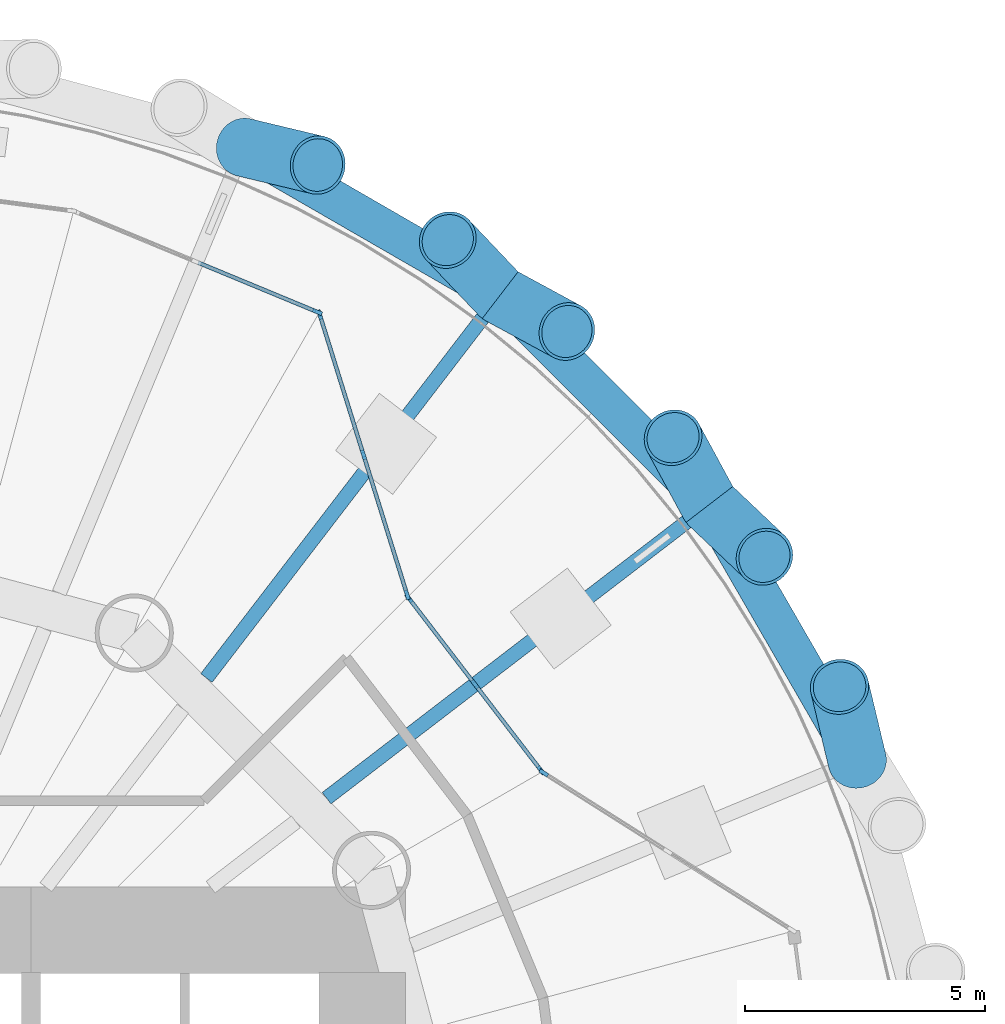
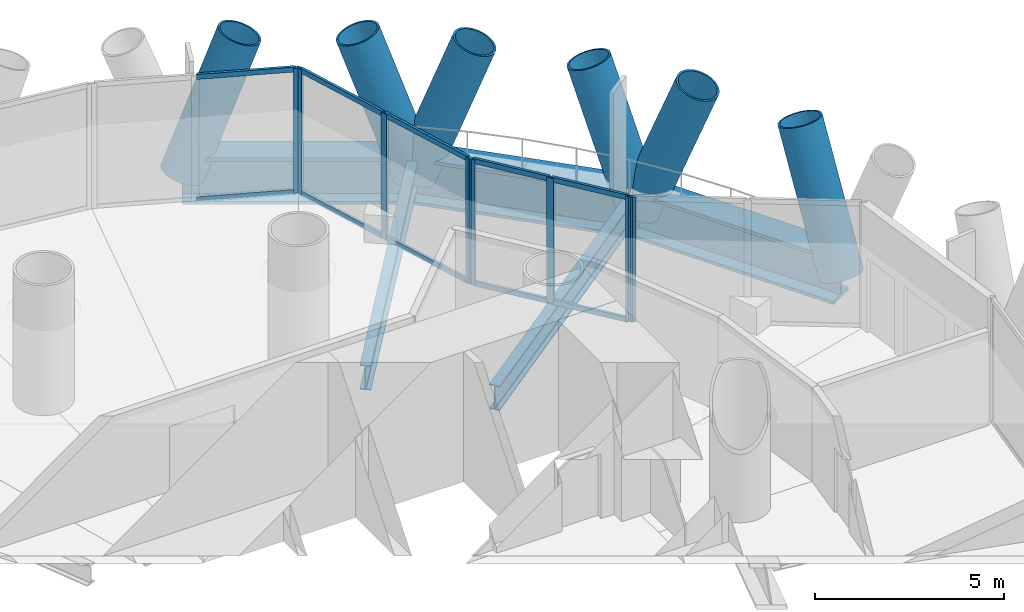
# One storey, part 6 of 15: 24 members, 5 beams, 4 elements without a shape of their own.
"""IFC4 building model written with IfcOpenShell, lengths in metres."""

import ifcopenshell
import ifcopenshell.guid

model = None  # the IFC model being written
_history = None  # IfcOwnerHistory: only IFC2X3 demands one
_inside = {}  # id of a spatial element -> (the spatial element, [elements in it])
_under = {}  # id of a project, library or spatial element -> (it, [spatial elements below it])
_declared = {}  # id of a project -> (the project, [libraries it declares])
_typed = {}  # id of a type object -> (the type object, [elements of that type])
_made_of = {}  # id of a material, layer set ... -> (it, [elements and type objects made of it])


def new_model(schema):
    """Start an empty IFC model of exactly this schema.

    Asked for "IFC4X3", IfcOpenShell would pick the latest addendum, in which some entities
    have other attributes; the version numbers below select the first issue.
    IFC2X3 requires an IfcOwnerHistory on every rooted entity: one is made here for all.
    """
    global model, _history
    if schema == "IFC4X3":
        model = ifcopenshell.file(schema_version=(4, 3, 0, 0))
    else:
        model = ifcopenshell.file(schema=schema)
    _inside.clear()
    _under.clear()
    _declared.clear()
    _typed.clear()
    _made_of.clear()
    _history = None
    if model.schema == "IFC2X3":
        org = make("IfcOrganization", Name="unknown")
        user = make(
            "IfcPersonAndOrganization",
            ThePerson=make("IfcPerson", FamilyName="unknown"),
            TheOrganization=org,
        )
        app = make(
            "IfcApplication",
            ApplicationDeveloper=org,
            Version="unknown",
            ApplicationFullName="unknown",
            ApplicationIdentifier="unknown",
        )
        _history = make(
            "IfcOwnerHistory",
            OwningUser=user,
            OwningApplication=app,
            ChangeAction="ADDED",
            CreationDate=0,
        )
    return model


def make(cls, **values):
    """One entity of the class cls with the attributes given. An attribute that is None is left unset."""
    return model.create_entity(
        cls, **{name: value for name, value in values.items() if value is not None}
    )


def rooted(cls, **values):
    """An entity with a GlobalId (a new one), such as an element, a storey or a relation."""
    return make(cls, GlobalId=ifcopenshell.guid.new(), OwnerHistory=_history, **values)


def si_unit(unit_type, name, prefix=None):
    """IfcSIUnit, for example si_unit("LENGTHUNIT", "METRE", prefix="MILLI")."""
    return make("IfcSIUnit", UnitType=unit_type, Prefix=prefix, Name=name)


def assignment(units):
    """IfcUnitAssignment: the units of a project."""
    return None if units is None else make("IfcUnitAssignment", Units=units)


def point(xyz):
    """IfcCartesianPoint."""
    return None if xyz is None else make("IfcCartesianPoint", Coordinates=xyz)


def direction(xyz):
    """IfcDirection."""
    return None if xyz is None else make("IfcDirection", DirectionRatios=xyz)


def frame(location, z_axis=None, x_axis=None):
    """IfcAxis2Placement3D, a coordinate frame: its origin and axes. An axis left out is left unset."""
    return make(
        "IfcAxis2Placement3D",
        Location=point(location),
        Axis=direction(z_axis),
        RefDirection=direction(x_axis),
    )


def frame_2d(location, x_axis=None):
    """IfcAxis2Placement2D, a coordinate frame in the plane: its origin and x axis."""
    return make(
        "IfcAxis2Placement2D", Location=point(location), RefDirection=direction(x_axis)
    )


def origin():
    """The frame at (0, 0, 0) with its axes left unset."""
    return frame((0.0, 0.0, 0.0))


def origin_2d():
    """The frame at (0, 0) in the plane with its x axis left unset."""
    return frame_2d((0.0, 0.0))


def place(relative_to, where):
    """IfcLocalPlacement: puts the frame where relative to a parent placement (None: the world)."""
    return make(
        "IfcLocalPlacement", PlacementRelTo=relative_to, RelativePlacement=where
    )


def context(
    kind, dimensions, precision=None, world=None, true_north=None, identifier=None
):
    """IfcGeometricRepresentationContext, for example the 3D "Model" context."""
    return make(
        "IfcGeometricRepresentationContext",
        ContextIdentifier=identifier,
        ContextType=kind,
        CoordinateSpaceDimension=dimensions,
        Precision=precision,
        WorldCoordinateSystem=world,
        TrueNorth=true_north,
    )


def subcontext(parent, identifier, kind, view, scale=None):
    """IfcGeometricRepresentationSubContext, for example "Body" below "Model"."""
    return make(
        "IfcGeometricRepresentationSubContext",
        ContextIdentifier=identifier,
        ContextType=kind,
        ParentContext=parent,
        TargetScale=scale,
        TargetView=view,
    )


def project(units=None, contexts=None):
    """IfcProject with its units and contexts."""
    return rooted(
        "IfcProject",
        Name="project",
        RepresentationContexts=contexts,
        UnitsInContext=assignment(units),
    )


def spatial(cls, under=None, at=None, **own):
    """A site, building, storey or space (cls), placed at a placement, below another one or the project."""
    s = rooted(cls, ObjectPlacement=at, **own)
    if under is not None:
        _under.setdefault(under.id(), (under, []))[1].append(s)
    return s


def profile(cls, at=None, kind="AREA", **sizes):
    """A parametric profile (cls). Its sizes go by their IFC names, for example OverallWidth=200.0."""
    return make(cls, ProfileType=kind, Position=at, **sizes)


def rectangle(**sizes):
    """IfcRectangleProfileDef."""
    return profile("IfcRectangleProfileDef", **sizes)


def hollow_circle(**sizes):
    """IfcCircleHollowProfileDef."""
    return profile("IfcCircleHollowProfileDef", **sizes)


def i_section(**sizes):
    """IfcIShapeProfileDef."""
    return profile("IfcIShapeProfileDef", **sizes)


def extrude(swept, where, along, depth):
    """IfcExtrudedAreaSolid: the profile swept, set in the frame where, extruded along a direction by depth."""
    return make(
        "IfcExtrudedAreaSolid",
        SweptArea=swept,
        Position=where,
        ExtrudedDirection=direction(along),
        Depth=depth,
    )


def shape(context_of_items, identifier, shape_type, items):
    """IfcShapeRepresentation: the items that make up one representation, for example the "Body"."""
    return make(
        "IfcShapeRepresentation",
        ContextOfItems=context_of_items,
        RepresentationIdentifier=identifier,
        RepresentationType=shape_type,
        Items=items,
    )


def material(Name=None, Category=None):
    """IfcMaterial."""
    return make("IfcMaterial", Name=Name, Category=Category)


def material_profile(
    of_material, cross_section, Name=None, Category=None, Priority=None
):
    """IfcMaterialProfile: a cross section and its material."""
    return make(
        "IfcMaterialProfile",
        Name=Name,
        Material=of_material,
        Profile=cross_section,
        Priority=Priority,
        Category=Category,
    )


def profile_set(profiles, Name=None, composite=None):
    """IfcMaterialProfileSet."""
    return make(
        "IfcMaterialProfileSet",
        Name=Name,
        MaterialProfiles=profiles,
        CompositeProfile=composite,
    )


def made_of(thing, what):
    """Note that an element or type object is made of a material, layer set ...; save() writes the relation."""
    if what is not None:
        _made_of.setdefault(what.id(), (what, []))[1].append(thing)
    return thing


def type_object(cls, material=None, **own):
    """A type object (cls), such as IfcWallType, which elements share."""
    return made_of(rooted(cls, **own), material)


def element(
    cls,
    number,
    at=None,
    inside=None,
    cuts=None,
    type_object=None,
    material=None,
    context=None,
    identifier="Body",
    shape_type=None,
    held_by="IfcProductDefinitionShape",
    body=None,
    shapes=None,
    **own,
):
    """One element of the class cls, such as IfcWall. Its Tag is "e" and its number.

    at: its placement. inside: the storey or other place that contains it. cuts: it is an
    opening in that element (IfcRelVoidsElement). A single representation is given by context,
    identifier, shape_type and body (its items); several are given by shapes. held_by: the class
    of the entity that holds the representations. save() writes the other relations.
    """
    e = rooted(cls, Tag="e%d" % number, ObjectPlacement=at, **own)
    if body is not None:
        shapes = [shape(context, identifier, shape_type, body)]
    if shapes is not None:
        e.Representation = make(held_by, Representations=shapes)
    if inside is not None:
        _inside.setdefault(inside.id(), (inside, []))[1].append(e)
    if cuts is not None:
        rooted(
            "IfcRelVoidsElement", RelatingBuildingElement=cuts, RelatedOpeningElement=e
        )
    if type_object is not None:
        _typed.setdefault(type_object.id(), (type_object, []))[1].append(e)
    return made_of(e, material)


def aggregate(whole, parts):
    """IfcRelAggregates: a whole, such as a stair, and the parts it consists of."""
    return rooted("IfcRelAggregates", RelatingObject=whole, RelatedObjects=parts)


def save(model, path):
    """Write the relations noted so far, then the file.

    IfcRelAggregates (storeys below a building ...), IfcRelContainedInSpatialStructure (elements
    in a storey), IfcRelDefinesByType, IfcRelAssociatesMaterial and IfcRelDeclares: one each for
    every whole, place, type object, material and project.
    """
    for whole, parts in _under.values():
        aggregate(whole, parts)
    for where, things in _inside.values():
        rooted(
            "IfcRelContainedInSpatialStructure",
            RelatedElements=things,
            RelatingStructure=where,
        )
    for kind, things in _typed.values():
        rooted("IfcRelDefinesByType", RelatedObjects=things, RelatingType=kind)
    for what, things in _made_of.values():
        rooted("IfcRelAssociatesMaterial", RelatedObjects=things, RelatingMaterial=what)
    for by, libraries in _declared.values():
        rooted("IfcRelDeclares", RelatingContext=by, RelatedDefinitions=libraries)
    model.write(path)


model = new_model("IFC4")

# Units and contexts
model_context = context("Model", 3, precision=1e-05, world=origin(), true_north=direction((0.0, 1.0)))
body_context = subcontext(model_context, "Body", "Model", "MODEL_VIEW")
ifc_project = project(units=[si_unit("LENGTHUNIT", "METRE"), si_unit("AREAUNIT", "SQUARE_METRE"), si_unit("VOLUMEUNIT", "CUBIC_METRE"), si_unit("PLANEANGLEUNIT", "RADIAN"), si_unit("MASSUNIT", "GRAM", prefix="KILO")], contexts=[model_context])

# Site, building, storey
site_placement = place(None, origin())
site = spatial("IfcSite", under=ifc_project, at=site_placement, CompositionType="ELEMENT")
building_placement = place(site_placement, origin())
building = spatial("IfcBuilding", under=site, at=building_placement, Name="Qaws Media Tower", CompositionType="ELEMENT")
storey_placement = place(building_placement, frame((0.0, 0.0, 34.39990234375)))
storey = spatial("IfcBuildingStorey", under=building, at=storey_placement, Name="L06", CompositionType="ELEMENT", Elevation=34.39990234375)

# Curtain wall, member
ifc_material_1 = material(Name="Aluminium and clear glass", Category="aluminium")
curtain_wall_type_1 = type_object("IfcCurtainWallType", Name="Loggia curtain wall CW-G", PredefinedType="NOTDEFINED", material=ifc_material_1)
curtain_wall_1_placement = place(storey_placement, origin())
curtain_wall_1 = element("IfcCurtainWall", 1, at=curtain_wall_1_placement, inside=storey, type_object=curtain_wall_type_1, Name="CWG curtain wall L06-02", PredefinedType="NOTDEFINED")
ifc_material_2 = material(Name="Aluminium mullion", Category="aluminium")
ifc_material_profile_1 = material_profile(ifc_material_2, rectangle(XDim=0.080078125, YDim=0.199951171875, at=origin_2d()), Name="80x200")
ifc_profile_set_1 = profile_set([ifc_material_profile_1], Name="Aluminium mullion")
member_type_1 = type_object("IfcMemberType", Name="Curtain wall mullion 80x200", PredefinedType="MULLION", material=ifc_profile_set_1)
member_1_placement = place(storey_placement, frame((75.27587890625, 58.778564453125, 0.0), z_axis=(0.0, 0.0, 1.0), x_axis=(-0.534725813808, -0.845025623308, 0.0)))
member_1 = element("IfcMember", 2, at=member_1_placement, type_object=member_type_1, Name="CWG mullion 3", PredefinedType="MULLION", context=body_context, shape_type="SweptSolid", body=[
    extrude(rectangle(XDim=0.080078125, YDim=0.199951171875, at=origin_2d()), origin(), (0.0, 0.0, 1.0), 4.0400390625),
])
aggregate(curtain_wall_1, [member_1])

# Curtain wall, members
curtain_wall_2_placement = place(storey_placement, origin())
curtain_wall_2 = element("IfcCurtainWall", 3, at=curtain_wall_2_placement, inside=storey, type_object=curtain_wall_type_1, Name="CWG curtain wall L06-03", PredefinedType="NOTDEFINED")
member_2_placement = place(storey_placement, frame((75.2177734375, 58.831787109375, 0.0), z_axis=(0.0, 0.0, 1.0), x_axis=(-0.793353286678, -0.608761498879, 0.0)))
member_2 = element("IfcMember", 4, at=member_2_placement, type_object=member_type_1, Name="CWG mullion 1", PredefinedType="MULLION", context=body_context, shape_type="SweptSolid", body=[
    extrude(rectangle(XDim=0.080078125, YDim=0.199951171875, at=origin_2d()), origin(), (0.0, 0.0, 1.0), 4.0400390625),
])
member_3_placement = place(storey_placement, frame((73.843505859375, 60.62255859375, 0.0), z_axis=(0.0, 0.0, 1.0), x_axis=(-0.793353286678, -0.608761498879, 0.0)))
member_3 = element("IfcMember", 5, at=member_3_placement, type_object=member_type_1, Name="CWG mullion 2", PredefinedType="MULLION", context=body_context, shape_type="SweptSolid", body=[
    extrude(rectangle(XDim=0.080078125, YDim=0.199951171875, at=origin_2d()), origin(), (0.0, 0.0, 1.0), 4.0400390625),
])
member_4_placement = place(storey_placement, frame((72.469482421875, 62.413330078125, 0.0), z_axis=(0.0, 0.0, 1.0), x_axis=(-0.793353286678, -0.608761498879, 0.0)))
member_4 = element("IfcMember", 6, at=member_4_placement, type_object=member_type_1, Name="CWG mullion 3", PredefinedType="MULLION", context=body_context, shape_type="SweptSolid", body=[
    extrude(rectangle(XDim=0.080078125, YDim=0.199951171875, at=origin_2d()), origin(), (0.0, 0.0, 1.0), 4.0400390625),
])

curtain_wall_3_placement = place(storey_placement, origin())
curtain_wall_3 = element("IfcCurtainWall", 7, at=curtain_wall_3_placement, inside=storey, type_object=curtain_wall_type_1, Name="CWG curtain wall L06-04", PredefinedType="NOTDEFINED")
member_5_placement = place(storey_placement, frame((72.43310546875, 62.483154296875, 0.0), z_axis=(0.0, 0.0, 1.0), x_axis=(-0.954629300201, -0.297796741414, 0.0)))
member_5 = element("IfcMember", 8, at=member_5_placement, type_object=member_type_1, Name="CWG mullion 1", PredefinedType="MULLION", context=body_context, shape_type="SweptSolid", body=[
    extrude(rectangle(XDim=0.080078125, YDim=0.199951171875, at=origin_2d()), origin(), (0.0, 0.0, 1.0), 4.0400390625),
])
member_6_placement = place(storey_placement, frame((71.5224609375, 65.40234375, 0.0), z_axis=(0.0, 0.0, 1.0), x_axis=(-0.954629300201, -0.297796741414, 0.0)))
member_6 = element("IfcMember", 9, at=member_6_placement, type_object=member_type_1, Name="CWG mullion 2", PredefinedType="MULLION", context=body_context, shape_type="SweptSolid", body=[
    extrude(rectangle(XDim=0.080078125, YDim=0.199951171875, at=origin_2d()), origin(), (0.0, 0.0, 1.0), 4.0400390625),
])
member_7_placement = place(storey_placement, frame((70.61181640625, 68.321533203125, 0.0), z_axis=(0.0, 0.0, 1.0), x_axis=(-0.954629300201, -0.297796741414, 0.0)))
member_7 = element("IfcMember", 10, at=member_7_placement, type_object=member_type_1, Name="CWG mullion 3", PredefinedType="MULLION", context=body_context, shape_type="SweptSolid", body=[
    extrude(rectangle(XDim=0.080078125, YDim=0.199951171875, at=origin_2d()), origin(), (0.0, 0.0, 1.0), 4.0400390625),
])

# Curtain wall, member
ifc_material_3 = material(Name="Aluminium and clear glass", Category="aluminium")
curtain_wall_type_2 = type_object("IfcCurtainWallType", Name="Unitised curtain wall CW-A", PredefinedType="NOTDEFINED", material=ifc_material_3)
curtain_wall_4_placement = place(storey_placement, origin())
curtain_wall_4 = element("IfcCurtainWall", 11, at=curtain_wall_4_placement, inside=storey, type_object=curtain_wall_type_2, Name="CWA curtain wall L06-05", PredefinedType="NOTDEFINED")
member_8_placement = place(storey_placement, frame((70.56298828125, 68.375, 0.0), z_axis=(0.0, 0.0, 1.0), x_axis=(-0.382683454553, -0.923879523321, 0.0)))
member_8 = element("IfcMember", 12, at=member_8_placement, type_object=member_type_1, Name="CWA mullion 1", PredefinedType="MULLION", context=body_context, shape_type="SweptSolid", body=[
    extrude(rectangle(XDim=0.080078125, YDim=0.199951171875, at=origin_2d()), origin(), (0.0, 0.0, 1.0), 4.0400390625),
])

# Member
ifc_material_4 = material(Name="Aluminium transom", Category="aluminium")
ifc_material_profile_2 = material_profile(ifc_material_4, rectangle(XDim=0.080078125, YDim=0.159912109375, at=origin_2d()), Name="80x160")
ifc_profile_set_2 = profile_set([ifc_material_profile_2], Name="Aluminium transom")
member_type_2 = type_object("IfcMemberType", Name="Curtain wall transom 80x160", PredefinedType="USERDEFINED", material=ifc_profile_set_2)
member_9_placement = place(storey_placement, frame((75.193359375, 58.863525390625, 0.0400390625), z_axis=(-0.608772831515, 0.79334459071, 0.0), x_axis=(-0.79334459071, -0.608772831515, 0.0)))
member_9 = element("IfcMember", 13, at=member_9_placement, type_object=member_type_2, Name="CWG transom 1.1", ObjectType="TRANSOM", PredefinedType="USERDEFINED", context=body_context, shape_type="SweptSolid", body=[
    extrude(rectangle(XDim=0.080078125, YDim=0.159912109375, at=origin_2d()), origin(), (0.0, 0.0, 1.0), 2.17724609375),
])

member_10_placement = place(storey_placement, frame((75.193359375, 58.863525390625, 4.0), z_axis=(-0.608772831515, 0.79334459071, 0.0), x_axis=(-0.79334459071, -0.608772831515, 0.0)))
member_10 = element("IfcMember", 14, at=member_10_placement, type_object=member_type_2, Name="CWG transom 1.2", ObjectType="TRANSOM", PredefinedType="USERDEFINED", context=body_context, shape_type="SweptSolid", body=[
    extrude(rectangle(XDim=0.080078125, YDim=0.159912109375, at=origin_2d()), origin(), (0.0, 0.0, 1.0), 2.17724609375),
])

member_11_placement = place(storey_placement, frame((73.819091796875, 60.654296875, 0.0400390625), z_axis=(-0.608702247945, 0.793398748012, 0.0), x_axis=(-0.793398748012, -0.608702247945, 0.0)))
member_11 = element("IfcMember", 15, at=member_11_placement, type_object=member_type_2, Name="CWG transom 2.1", ObjectType="TRANSOM", PredefinedType="USERDEFINED", context=body_context, shape_type="SweptSolid", body=[
    extrude(rectangle(XDim=0.080078125, YDim=0.159912109375, at=origin_2d()), origin(), (0.0, 0.0, 1.0), 2.177001953125),
])

member_12_placement = place(storey_placement, frame((73.819091796875, 60.654296875, 4.0), z_axis=(-0.608702247945, 0.793398748012, 0.0), x_axis=(-0.793398748012, -0.608702247945, 0.0)))
member_12 = element("IfcMember", 16, at=member_12_placement, type_object=member_type_2, Name="CWG transom 2.2", ObjectType="TRANSOM", PredefinedType="USERDEFINED", context=body_context, shape_type="SweptSolid", body=[
    extrude(rectangle(XDim=0.080078125, YDim=0.159912109375, at=origin_2d()), origin(), (0.0, 0.0, 1.0), 2.177001953125),
])

aggregate(curtain_wall_2, [member_2, member_3, member_4, member_9, member_10, member_11, member_12])

member_13_placement = place(storey_placement, frame((72.421142578125, 62.521484375, 0.0400390625), z_axis=(-0.297770785397, 0.954637396797, 0.0), x_axis=(-0.954637396797, -0.297770785397, 0.0)))
member_13 = element("IfcMember", 17, at=member_13_placement, type_object=member_type_2, Name="CWG transom 1.1", ObjectType="TRANSOM", PredefinedType="USERDEFINED", context=body_context, shape_type="SweptSolid", body=[
    extrude(rectangle(XDim=0.080078125, YDim=0.159912109375, at=origin_2d()), origin(), (0.0, 0.0, 1.0), 2.977783203125),
])

member_14_placement = place(storey_placement, frame((72.421142578125, 62.521484375, 4.0), z_axis=(-0.297770785397, 0.954637396797, 0.0), x_axis=(-0.954637396797, -0.297770785397, 0.0)))
member_14 = element("IfcMember", 18, at=member_14_placement, type_object=member_type_2, Name="CWG transom 1.2", ObjectType="TRANSOM", PredefinedType="USERDEFINED", context=body_context, shape_type="SweptSolid", body=[
    extrude(rectangle(XDim=0.080078125, YDim=0.159912109375, at=origin_2d()), origin(), (0.0, 0.0, 1.0), 2.977783203125),
])

member_15_placement = place(storey_placement, frame((71.5107421875, 65.440673828125, 0.0400390625), z_axis=(-0.297845498579, 0.954614089031, 0.0), x_axis=(-0.954614089031, -0.297845498579, 0.0)))
member_15 = element("IfcMember", 19, at=member_15_placement, type_object=member_type_2, Name="CWG transom 2.1", ObjectType="TRANSOM", PredefinedType="USERDEFINED", context=body_context, shape_type="SweptSolid", body=[
    extrude(rectangle(XDim=0.080078125, YDim=0.159912109375, at=origin_2d()), origin(), (0.0, 0.0, 1.0), 2.97802734375),
])

member_16_placement = place(storey_placement, frame((71.5107421875, 65.440673828125, 4.0), z_axis=(-0.297845498579, 0.954614089031, 0.0), x_axis=(-0.954614089031, -0.297845498579, 0.0)))
member_16 = element("IfcMember", 20, at=member_16_placement, type_object=member_type_2, Name="CWG transom 2.2", ObjectType="TRANSOM", PredefinedType="USERDEFINED", context=body_context, shape_type="SweptSolid", body=[
    extrude(rectangle(XDim=0.080078125, YDim=0.159912109375, at=origin_2d()), origin(), (0.0, 0.0, 1.0), 2.97802734375),
])

aggregate(curtain_wall_3, [member_5, member_6, member_7, member_13, member_14, member_15, member_16])

member_17_placement = place(storey_placement, frame((70.526123046875, 68.390380859375, 0.0400390625), z_axis=(-0.923898816777, 0.38263687271, 0.0), x_axis=(-0.38263687271, -0.923898816777, 0.0)))
member_17 = element("IfcMember", 21, at=member_17_placement, type_object=member_type_2, Name="CWA transom 1.1", ObjectType="TRANSOM", PredefinedType="USERDEFINED", context=body_context, shape_type="SweptSolid", body=[
    extrude(rectangle(XDim=0.080078125, YDim=0.159912109375, at=origin_2d()), origin(), (0.0, 0.0, 1.0), 2.647216796875),
])

member_18_placement = place(storey_placement, frame((70.526123046875, 68.390380859375, 4.0), z_axis=(-0.923898816777, 0.38263687271, 0.0), x_axis=(-0.38263687271, -0.923898816777, 0.0)))
member_18 = element("IfcMember", 22, at=member_18_placement, type_object=member_type_2, Name="CWA transom 1.2", ObjectType="TRANSOM", PredefinedType="USERDEFINED", context=body_context, shape_type="SweptSolid", body=[
    extrude(rectangle(XDim=0.080078125, YDim=0.159912109375, at=origin_2d()), origin(), (0.0, 0.0, 1.0), 2.647216796875),
])

aggregate(curtain_wall_4, [member_8, member_17, member_18])

# Members
ifc_material_5 = material(Name="Steel S460", Category="steel")
ifc_material_profile_3 = material_profile(ifc_material_5, hollow_circle(Radius=0.609619140625, WallThickness=0.06005859375, at=origin_2d()), Name="CHS 1219x60")
ifc_profile_set_3 = profile_set([ifc_material_profile_3], Name="Steel S460")
member_type_3 = type_object("IfcMemberType", Name="Diagrid member CHS 1219x60", PredefinedType="USERDEFINED", material=ifc_profile_set_3)
for number, where, z_axis, x_axis, name in (
    (23, (81.803466796875, 59.03125, -0.909912109375), (-0.082026460481, 0.343009853976, 0.935743501103), (-0.972577374839, -0.232579556178, 0.0), "DG1 diagrid L06 A02"),
    (24, (78.72314453125, 64.36669921875, -0.909912109375), (-0.168025631543, 0.310050534086, 0.935754269805), (-0.879195053655, -0.476462021182, 0.0), "DG1 diagrid L06 A03"),
    (25, (78.72314453125, 64.36669921875, -0.909912109375), (0.255983134408, -0.24254755553, 0.935758151557), (0.687800265926, 0.725899989111, 0.0), "DG1 diagrid L06 B03"),
    (26, (74.36669921875, 68.72314453125, -0.909912109375), (-0.24254755553, 0.255983134408, 0.935758151557), (-0.725899989111, -0.687800265926, 0.0), "DG1 diagrid L06 A04"),
    (27, (74.36669921875, 68.72314453125, -0.909912109375), (0.310050534086, -0.168025631543, 0.935754269805), (0.476462021182, 0.879195053655, 0.0), "DG1 diagrid L06 B04"),
    (28, (69.03125, 71.803466796875, -0.909912109375), (0.343009853976, -0.082026460481, 0.935743501103), (0.232579556178, 0.972577374839, 0.0), "DG1 diagrid L06 B05"),
):
    element("IfcMember", number, at=place(storey_placement, frame(where, z_axis=z_axis, x_axis=x_axis)), inside=storey, type_object=member_type_3, Name=name, ObjectType="DIAGRID", PredefinedType="USERDEFINED", context=body_context, shape_type="SweptSolid", body=[
        extrude(hollow_circle(Radius=0.609619140625, WallThickness=0.06005859375, at=origin_2d()), origin(), (0.0, 0.0, 1.0), 4.48828125),
    ])

# Beams
ifc_material_6 = material(Name="Steel S460", Category="steel")
ifc_material_profile_4 = material_profile(ifc_material_6, i_section(OverallWidth=0.800048828125, OverallDepth=1.5, WebThickness=0.0400390625, FlangeThickness=0.10009765625, at=origin_2d()), Name="PG 1500x800")
ifc_profile_set_4 = profile_set([ifc_material_profile_4], Name="Steel S460")
beam_type_1 = type_object("IfcBeamType", Name="Edge ring beam PG 1500x800", PredefinedType="BEAM", material=ifc_profile_set_4)
for number, where, z_axis, x_axis, name in (
    (29, (81.803466796875, 59.03125, -0.909912109375), (-0.499987731599, 0.866032486833, 0.0), (-0.866032486833, -0.499987731599, 0.0), "RB7 edge ring beam L06-02"),
    (30, (78.72314453125, 64.36669921875, -0.909912109375), (-0.707106781187, 0.707106781187, 0.0), (-0.707106781187, -0.707106781187, 0.0), "RB7 edge ring beam L06-03"),
    (31, (74.36669921875, 68.72314453125, -0.909912109375), (-0.866032486833, 0.499987731599, 0.0), (-0.499987731599, -0.866032486833, 0.0), "RB7 edge ring beam L06-04"),
):
    element("IfcBeam", number, at=place(storey_placement, frame(where, z_axis=z_axis, x_axis=x_axis)), inside=storey, type_object=beam_type_1, Name=name, PredefinedType="BEAM", context=body_context, shape_type="SweptSolid", body=[
        extrude(i_section(OverallWidth=0.800048828125, OverallDepth=1.5, WebThickness=0.0400390625, FlangeThickness=0.10009765625, at=origin_2d()), origin(), (0.0, 0.0, 1.0), 6.160888671875),
    ])
ifc_material_7 = material(Name="Steel S355", Category="steel")
ifc_material_profile_5 = material_profile(ifc_material_7, i_section(OverallWidth=0.300048828125, OverallDepth=0.800048828125, WebThickness=0.017578125, FlangeThickness=0.032958984375, FilletRadius=0.030029296875, at=origin_2d()), Name="HE 800 B")
ifc_profile_set_5 = profile_set([ifc_material_profile_5], Name="Steel S355")
beam_type_2 = type_object("IfcBeamType", Name="Radial beam HE 800 B", PredefinedType="BEAM", material=ifc_profile_set_5)
for number, where, z_axis, x_axis, name in (
    (32, (70.754638671875, 58.25244140625, -0.559814453125), (0.793362562269, 0.608749410505, 0.0), (-0.608749410505, 0.793362562269, 0.0), "B1 radial beam L06 03"),
    (33, (68.25244140625, 60.754638671875, -0.559814453125), (0.608749410505, 0.793362562269, 0.0), (-0.793362562269, 0.608749410505, 0.0), "B1 radial beam L06 04"),
):
    element("IfcBeam", number, at=place(storey_placement, frame(where, z_axis=z_axis, x_axis=x_axis)), inside=storey, type_object=beam_type_2, Name=name, PredefinedType="BEAM", context=body_context, shape_type="SweptSolid", body=[
        extrude(i_section(OverallWidth=0.300048828125, OverallDepth=0.800048828125, WebThickness=0.017578125, FlangeThickness=0.032958984375, FilletRadius=0.030029296875, at=origin_2d()), origin(), (0.0, 0.0, 1.0), 10.0439453125),
    ])

save(model, "model.ifc")
